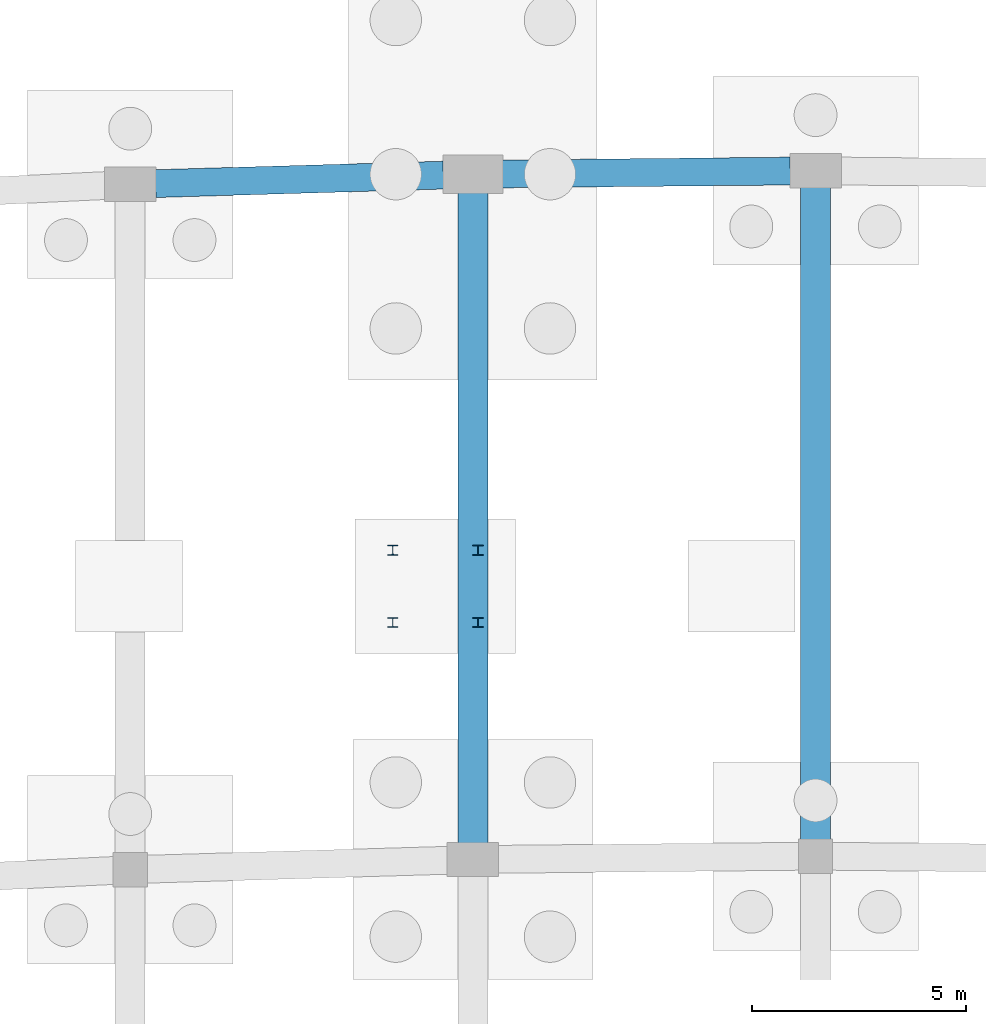
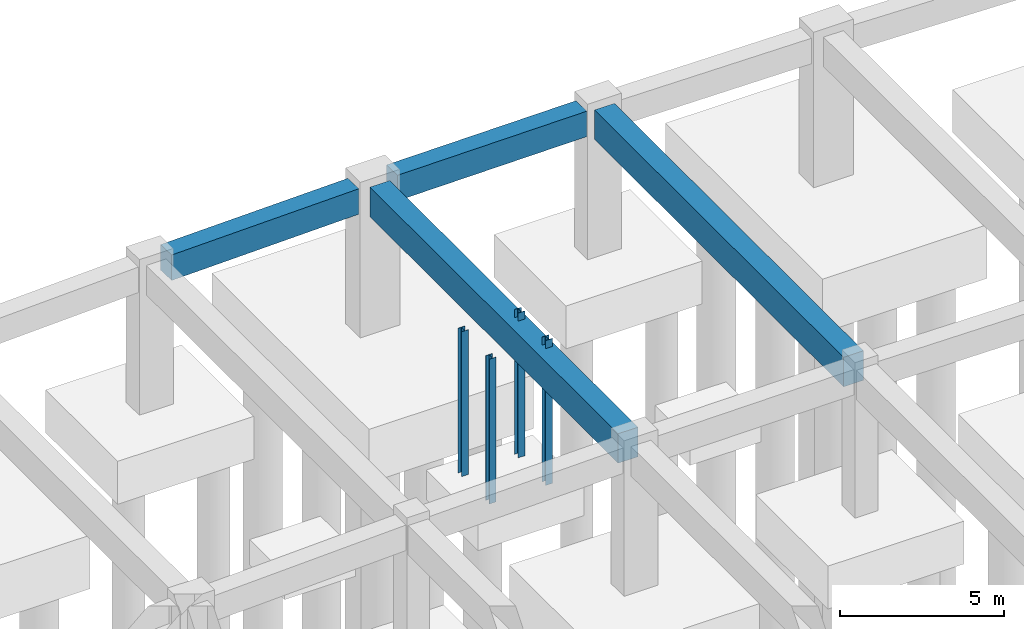
# One storey, part 20 of 45: 4 beams, 4 members.
"""IFC4 building model written with IfcOpenShell, lengths in metres."""

from ifc_helpers import new_model, si_unit, direction, frame, origin, origin_2d, place, context, subcontext, project, spatial, rectangle, i_section, extrude, material, material_profile, profile_set, type_object, element, save


model = new_model("IFC4")

# Units and contexts
model_context = context("Model", 3, precision=1e-05, world=origin(), true_north=direction((0.0, 1.0)))
body_context = subcontext(model_context, "Body", "Model", "MODEL_VIEW")
ifc_project = project(units=[si_unit("LENGTHUNIT", "METRE"), si_unit("AREAUNIT", "SQUARE_METRE"), si_unit("VOLUMEUNIT", "CUBIC_METRE"), si_unit("PLANEANGLEUNIT", "RADIAN"), si_unit("MASSUNIT", "GRAM", prefix="KILO")], contexts=[model_context])

# Site, building, storey
site_placement = place(None, origin())
site = spatial("IfcSite", under=ifc_project, at=site_placement, CompositionType="ELEMENT")
building_placement = place(site_placement, origin())
building = spatial("IfcBuilding", under=site, at=building_placement, Name="Kenh Van Central Station", CompositionType="ELEMENT")
storey_placement = place(building_placement, frame((0.0, 0.0, -5.39990234375)))
storey = spatial("IfcBuildingStorey", under=building, at=storey_placement, Name="B1", CompositionType="ELEMENT", Elevation=-5.39990234375)

# Beams
ifc_material_1 = material(Name="Concrete C40/50", Category="concrete")
ifc_material_profile_1 = material_profile(ifc_material_1, rectangle(XDim=0.64990234375, YDim=0.949951171875, at=origin_2d()), Name="RC 650x950")
ifc_profile_set_1 = profile_set([ifc_material_profile_1], Name="Concrete C40/50")
beam_type_1 = type_object("IfcBeamType", Name="BM-RC-650x950", PredefinedType="BEAM", material=ifc_profile_set_1)
beam_1_placement = place(storey_placement, frame((72.58984375, 114.900634765625, 4.625), z_axis=(0.999563065499, 0.029558046112, 0.0), x_axis=(-0.029558046112, 0.999563065499, 0.0)))
element("IfcBeam", 1, at=beam_1_placement, inside=storey, type_object=beam_type_1, Name="B1 viaduct girder 1339", PredefinedType="BEAM", context=body_context, shape_type="SweptSolid", body=[
    extrude(rectangle(XDim=0.64990234375, YDim=0.949951171875, at=origin_2d()), origin(), (0.0, 0.0, 1.0), 6.723388671875),
])
beam_2_placement = place(storey_placement, frame((80.68994140625, 115.126708984375, 4.625), z_axis=(0.99994973094, 0.010026743896, 0.0), x_axis=(-0.010026743896, 0.99994973094, 0.0)))
element("IfcBeam", 2, at=beam_2_placement, inside=storey, type_object=beam_type_1, Name="B1 viaduct girder 1340", PredefinedType="BEAM", context=body_context, shape_type="SweptSolid", body=[
    extrude(rectangle(XDim=0.64990234375, YDim=0.949951171875, at=origin_2d()), origin(), (0.0, 0.0, 1.0), 6.72021484375),
])
ifc_material_profile_2 = material_profile(ifc_material_1, rectangle(XDim=0.699951171875, YDim=1.10009765625, at=origin_2d()), Name="RC 700x1100")
ifc_profile_set_2 = profile_set([ifc_material_profile_2], Name="Concrete C40/50")
beam_type_2 = type_object("IfcBeamType", Name="BM-RC-700x1100", PredefinedType="BEAM", material=ifc_profile_set_2)
beam_3_placement = place(storey_placement, frame((80.0, 99.509765625, 4.5498046875), z_axis=(0.0, 1.0, 0.0), x_axis=(-1.0, 0.0, 0.0)))
element("IfcBeam", 3, at=beam_3_placement, inside=storey, type_object=beam_type_2, Name="B1 viaduct cross-girder 1365", PredefinedType="BEAM", context=body_context, shape_type="SweptSolid", body=[
    extrude(rectangle(XDim=0.699951171875, YDim=1.10009765625, at=origin_2d()), origin(), (0.0, 0.0, 1.0), 15.169921875),
])
beam_4_placement = place(storey_placement, frame((88.0, 99.590087890625, 4.5498046875), z_axis=(0.0, 1.0, 0.0), x_axis=(-1.0, 0.0, 0.0)))
element("IfcBeam", 4, at=beam_4_placement, inside=storey, type_object=beam_type_2, Name="B1 viaduct cross-girder 1368", PredefinedType="BEAM", context=body_context, shape_type="SweptSolid", body=[
    extrude(rectangle(XDim=0.699951171875, YDim=1.10009765625, at=origin_2d()), origin(), (0.0, 0.0, 1.0), 15.219970703125),
])

# Members
ifc_material_2 = material(Name="Steel S355", Category="steel")
ifc_material_profile_3 = material_profile(ifc_material_2, i_section(OverallWidth=0.239990234375, OverallDepth=0.22998046875, WebThickness=0.007568359375, FlangeThickness=0.011962890625, FilletRadius=0.02099609375, at=origin_2d()), Name="HEA 240")
ifc_profile_set_3 = profile_set([ifc_material_profile_3], Name="Steel S355")
member_type = type_object("IfcMemberType", Name="MEM-ROOF-POST240", PredefinedType="POST", material=ifc_profile_set_3)
for number, where, z_axis, x_axis, name in (
    (5, (78.1298828125, 104.655029296875, 0.0), (0.0, 0.0, 1.0), (1.0, 0.0, 0.0), "B1 transfer landing post ST-PUB6 11"),
    (6, (78.1298828125, 106.344970703125, 0.0), (0.0, 0.0, 1.0), (1.0, 0.0, 0.0), "B1 transfer landing post ST-PUB6 12"),
    (7, (80.1201171875, 104.655029296875, 0.0), (0.0, 0.0, 1.0), (1.0, 0.0, 0.0), "B1 transfer landing post ST-PUB6 21"),
    (8, (80.1201171875, 106.344970703125, 0.0), (0.0, 0.0, 1.0), (1.0, 0.0, 0.0), "B1 transfer landing post ST-PUB6 22"),
):
    element("IfcMember", number, at=place(storey_placement, frame(where, z_axis=z_axis, x_axis=x_axis)), inside=storey, type_object=member_type, Name=name, PredefinedType="POST", context=body_context, shape_type="SweptSolid", body=[
        extrude(i_section(OverallWidth=0.239990234375, OverallDepth=0.22998046875, WebThickness=0.007568359375, FlangeThickness=0.011962890625, FilletRadius=0.02099609375, at=origin_2d()), origin(), (0.0, 0.0, 1.0), 5.39990234375),
    ])

save(model, "model.ifc")
